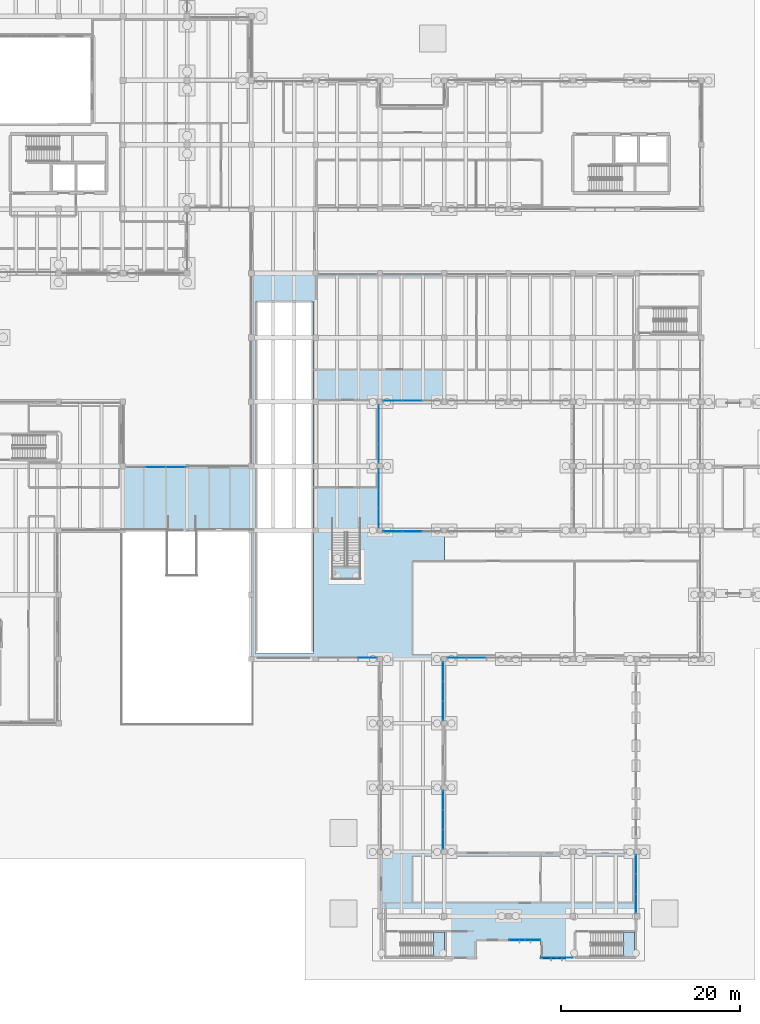
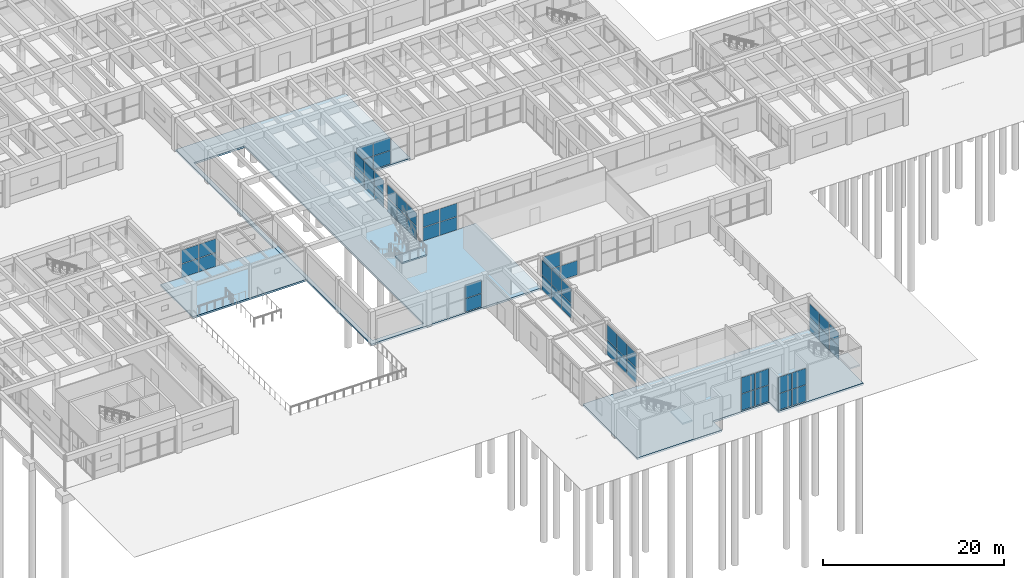
# One storey, part 110 of 155: 55 plates, 6 slabs, 15 elements without a shape of their own.
"""IFC4 building model written with IfcOpenShell, lengths in metres."""

from ifc_helpers import new_model, si_unit, direction, frame, origin, origin_2d, place, context, subcontext, project, spatial, polyline, rectangle, outline, extrude, material, layer, layer_set, type_object, element, aggregate, save


model = new_model("IFC4")

# Units and contexts
model_context = context("Model", 3, precision=1e-05, world=origin(), true_north=direction((0.0, 1.0)))
body_context = subcontext(model_context, "Body", "Model", "MODEL_VIEW")
ifc_project = project(units=[si_unit("LENGTHUNIT", "METRE"), si_unit("AREAUNIT", "SQUARE_METRE"), si_unit("VOLUMEUNIT", "CUBIC_METRE"), si_unit("PLANEANGLEUNIT", "RADIAN"), si_unit("MASSUNIT", "GRAM", prefix="KILO")], contexts=[model_context])

# Site, building, storey
site_placement = place(None, origin())
site = spatial("IfcSite", under=ifc_project, at=site_placement, CompositionType="ELEMENT")
building_placement = place(site_placement, origin())
building = spatial("IfcBuilding", under=site, at=building_placement, Name="Bramvelor Terrace Health Centre", CompositionType="ELEMENT")
storey_placement = place(building_placement, origin())
storey = spatial("IfcBuildingStorey", under=building, at=storey_placement, Name="L01", CompositionType="ELEMENT", Elevation=0.0)

# Curtain wall, plates
ifc_material_1 = material(Name="Anodized aluminium and double low-E glass", Category="aluminium")
curtain_wall_type_1 = type_object("IfcCurtainWallType", Name="CW-SYS-04", PredefinedType="NOTDEFINED", material=ifc_material_1)
curtain_wall_1_placement = place(storey_placement, origin())
curtain_wall_1 = element("IfcCurtainWall", 1, at=curtain_wall_1_placement, inside=storey, type_object=curtain_wall_type_1, Name="L01 Unitized Curtain Wall 11", PredefinedType="NOTDEFINED")
ifc_material_2 = material(Name="Double low-E laminated glass", Category="glass")
ifc_layer_1 = layer(ifc_material_2, 0.028076171875)
ifc_layer_set_1 = layer_set([ifc_layer_1], Name="Double low-E laminated glass")
plate_type = type_object("IfcPlateType", Name="CW-PNL-GLZ28", PredefinedType="CURTAIN_PANEL", material=ifc_layer_set_1)
plate_1_placement = place(storey_placement, frame((32.47314453125, 57.469970703125, 0.06494140625), z_axis=(0.0, 0.0, 1.0), x_axis=(1.0, 0.0, 0.0)))
plate_1 = element("IfcPlate", 2, at=plate_1_placement, type_object=plate_type, Name="CW-04 panel 2.1", PredefinedType="CURTAIN_PANEL", context=body_context, shape_type="SweptSolid", body=[
    extrude(rectangle(XDim=2.177001953125, YDim=0.028076171875, at=origin_2d()), origin(), (0.0, 0.0, 1.0), 1.822509765625),
])
plate_2_placement = place(storey_placement, frame((32.47314453125, 57.469970703125, 1.95263671875), z_axis=(0.0, 0.0, 1.0), x_axis=(1.0, 0.0, 0.0)))
plate_2 = element("IfcPlate", 3, at=plate_2_placement, type_object=plate_type, Name="CW-04 panel 2.2", PredefinedType="CURTAIN_PANEL", context=body_context, shape_type="SweptSolid", body=[
    extrude(rectangle(XDim=2.177001953125, YDim=0.028076171875, at=origin_2d()), origin(), (0.0, 0.0, 1.0), 1.822509765625),
])
plate_3_placement = place(storey_placement, frame((34.70654296875, 57.469970703125, 0.06494140625), z_axis=(0.0, 0.0, 1.0), x_axis=(1.0, 0.0, 0.0)))
plate_3 = element("IfcPlate", 4, at=plate_3_placement, type_object=plate_type, Name="CW-04 panel 3.1", PredefinedType="CURTAIN_PANEL", context=body_context, shape_type="SweptSolid", body=[
    extrude(rectangle(XDim=2.1396484375, YDim=0.028076171875, at=origin_2d()), origin(), (0.0, 0.0, 1.0), 1.822509765625),
])
plate_4_placement = place(storey_placement, frame((34.70654296875, 57.469970703125, 1.95263671875), z_axis=(0.0, 0.0, 1.0), x_axis=(1.0, 0.0, 0.0)))
plate_4 = element("IfcPlate", 5, at=plate_4_placement, type_object=plate_type, Name="CW-04 panel 3.2", PredefinedType="CURTAIN_PANEL", context=body_context, shape_type="SweptSolid", body=[
    extrude(rectangle(XDim=2.1396484375, YDim=0.028076171875, at=origin_2d()), origin(), (0.0, 0.0, 1.0), 1.822509765625),
])
aggregate(curtain_wall_1, [plate_1, plate_2, plate_3, plate_4])

ifc_material_3 = material(Name="Anodized aluminium and double low-E glass", Category="aluminium")
curtain_wall_type_2 = type_object("IfcCurtainWallType", Name="CW-SYS-07", PredefinedType="NOTDEFINED", material=ifc_material_3)
curtain_wall_2_placement = place(storey_placement, origin())
curtain_wall_2 = element("IfcCurtainWall", 6, at=curtain_wall_2_placement, inside=storey, type_object=curtain_wall_type_2, Name="L01 Unitized Curtain Wall 50", PredefinedType="NOTDEFINED")
plate_5_placement = place(storey_placement, frame((68.39990234375, 36.1298828125, 0.06494140625), z_axis=(0.0, 0.0, 1.0), x_axis=(-1.0, 0.0, 0.0)))
plate_5 = element("IfcPlate", 7, at=plate_5_placement, type_object=plate_type, Name="CW-07 panel 2.1", PredefinedType="CURTAIN_PANEL", context=body_context, shape_type="SweptSolid", body=[
    extrude(rectangle(XDim=2.12841796875, YDim=0.028076171875, at=origin_2d()), origin(), (0.0, 0.0, 1.0), 1.93603515625),
])
plate_6_placement = place(storey_placement, frame((66.21533203125, 36.1298828125, 0.06494140625), z_axis=(0.0, 0.0, 1.0), x_axis=(-1.0, 0.0, 0.0)))
plate_6 = element("IfcPlate", 8, at=plate_6_placement, type_object=plate_type, Name="CW-07 panel 3.1", PredefinedType="CURTAIN_PANEL", context=body_context, shape_type="SweptSolid", body=[
    extrude(rectangle(XDim=2.0908203125, YDim=0.028076171875, at=origin_2d()), origin(), (0.0, 0.0, 1.0), 1.93603515625),
])
plate_7_placement = place(storey_placement, frame((66.21533203125, 36.1298828125, 2.06591796875), z_axis=(0.0, 0.0, 1.0), x_axis=(-1.0, 0.0, 0.0)))
plate_7 = element("IfcPlate", 9, at=plate_7_placement, type_object=plate_type, Name="CW-07 panel 3.2", PredefinedType="CURTAIN_PANEL", context=body_context, shape_type="SweptSolid", body=[
    extrude(rectangle(XDim=2.0908203125, YDim=0.028076171875, at=origin_2d()), origin(), (0.0, 0.0, 1.0), 1.93603515625),
])
aggregate(curtain_wall_2, [plate_5, plate_6, plate_7])

curtain_wall_3_placement = place(storey_placement, origin())
curtain_wall_3 = element("IfcCurtainWall", 10, at=curtain_wall_3_placement, inside=storey, type_object=curtain_wall_type_2, Name="L01 Unitized Curtain Wall 51", PredefinedType="NOTDEFINED")
plate_8_placement = place(storey_placement, frame((64.669921875, 34.58447265625, 0.06494140625), z_axis=(0.0, 0.0, 1.0), x_axis=(0.0, -1.0, 0.0)))
plate_8 = element("IfcPlate", 11, at=plate_8_placement, type_object=plate_type, Name="CW-07 panel 1.1", PredefinedType="CURTAIN_PANEL", context=body_context, shape_type="SweptSolid", body=[
    extrude(rectangle(XDim=2.0908203125, YDim=0.028076171875, at=origin_2d()), origin(), (0.0, 0.0, 1.0), 1.95947265625),
])
plate_9_placement = place(storey_placement, frame((64.669921875, 34.58447265625, 2.089599609375), z_axis=(0.0, 0.0, 1.0), x_axis=(0.0, -1.0, 0.0)))
plate_9 = element("IfcPlate", 12, at=plate_9_placement, type_object=plate_type, Name="CW-07 panel 1.2", PredefinedType="CURTAIN_PANEL", context=body_context, shape_type="SweptSolid", body=[
    extrude(rectangle(XDim=2.0908203125, YDim=0.028076171875, at=origin_2d()), origin(), (0.0, 0.0, 1.0), 1.95947265625),
])
plate_10_placement = place(storey_placement, frame((64.669921875, 32.39990234375, 0.06494140625), z_axis=(0.0, 0.0, 1.0), x_axis=(0.0, -1.0, 0.0)))
plate_10 = element("IfcPlate", 13, at=plate_10_placement, type_object=plate_type, Name="CW-07 panel 2.1", PredefinedType="CURTAIN_PANEL", context=body_context, shape_type="SweptSolid", body=[
    extrude(rectangle(XDim=2.12841796875, YDim=0.028076171875, at=origin_2d()), origin(), (0.0, 0.0, 1.0), 1.95947265625),
])
plate_11_placement = place(storey_placement, frame((64.669921875, 32.39990234375, 2.089599609375), z_axis=(0.0, 0.0, 1.0), x_axis=(0.0, -1.0, 0.0)))
plate_11 = element("IfcPlate", 14, at=plate_11_placement, type_object=plate_type, Name="CW-07 panel 2.2", PredefinedType="CURTAIN_PANEL", context=body_context, shape_type="SweptSolid", body=[
    extrude(rectangle(XDim=2.12841796875, YDim=0.028076171875, at=origin_2d()), origin(), (0.0, 0.0, 1.0), 1.95947265625),
])
plate_12_placement = place(storey_placement, frame((64.669921875, 30.21533203125, 0.06494140625), z_axis=(0.0, 0.0, 1.0), x_axis=(0.0, -1.0, 0.0)))
plate_12 = element("IfcPlate", 15, at=plate_12_placement, type_object=plate_type, Name="CW-07 panel 3.1", PredefinedType="CURTAIN_PANEL", context=body_context, shape_type="SweptSolid", body=[
    extrude(rectangle(XDim=2.0908203125, YDim=0.028076171875, at=origin_2d()), origin(), (0.0, 0.0, 1.0), 1.95947265625),
])
plate_13_placement = place(storey_placement, frame((64.669921875, 30.21533203125, 2.089599609375), z_axis=(0.0, 0.0, 1.0), x_axis=(0.0, -1.0, 0.0)))
plate_13 = element("IfcPlate", 16, at=plate_13_placement, type_object=plate_type, Name="CW-07 panel 3.2", PredefinedType="CURTAIN_PANEL", context=body_context, shape_type="SweptSolid", body=[
    extrude(rectangle(XDim=2.0908203125, YDim=0.028076171875, at=origin_2d()), origin(), (0.0, 0.0, 1.0), 1.95947265625),
])
aggregate(curtain_wall_3, [plate_8, plate_9, plate_10, plate_11, plate_12, plate_13])

curtain_wall_4_placement = place(storey_placement, origin())
curtain_wall_4 = element("IfcCurtainWall", 17, at=curtain_wall_4_placement, inside=storey, type_object=curtain_wall_type_2, Name="L01 Unitized Curtain Wall 52", PredefinedType="NOTDEFINED")
plate_14_placement = place(storey_placement, frame((64.669921875, 20.1845703125, 0.06494140625), z_axis=(0.0, 0.0, 1.0), x_axis=(0.0, -1.0, 0.0)))
plate_14 = element("IfcPlate", 18, at=plate_14_placement, type_object=plate_type, Name="CW-07 panel 1.1", PredefinedType="CURTAIN_PANEL", context=body_context, shape_type="SweptSolid", body=[
    extrude(rectangle(XDim=2.0908203125, YDim=0.028076171875, at=origin_2d()), origin(), (0.0, 0.0, 1.0), 1.969482421875),
])
plate_15_placement = place(storey_placement, frame((64.669921875, 20.1845703125, 2.099609375), z_axis=(0.0, 0.0, 1.0), x_axis=(0.0, -1.0, 0.0)))
plate_15 = element("IfcPlate", 19, at=plate_15_placement, type_object=plate_type, Name="CW-07 panel 1.2", PredefinedType="CURTAIN_PANEL", context=body_context, shape_type="SweptSolid", body=[
    extrude(rectangle(XDim=2.0908203125, YDim=0.028076171875, at=origin_2d()), origin(), (0.0, 0.0, 1.0), 1.969482421875),
])
plate_16_placement = place(storey_placement, frame((64.669921875, 18.0, 0.06494140625), z_axis=(0.0, 0.0, 1.0), x_axis=(0.0, -1.0, 0.0)))
plate_16 = element("IfcPlate", 20, at=plate_16_placement, type_object=plate_type, Name="CW-07 panel 2.1", PredefinedType="CURTAIN_PANEL", context=body_context, shape_type="SweptSolid", body=[
    extrude(rectangle(XDim=2.12841796875, YDim=0.028076171875, at=origin_2d()), origin(), (0.0, 0.0, 1.0), 1.969482421875),
])
plate_17_placement = place(storey_placement, frame((64.669921875, 18.0, 2.099609375), z_axis=(0.0, 0.0, 1.0), x_axis=(0.0, -1.0, 0.0)))
plate_17 = element("IfcPlate", 21, at=plate_17_placement, type_object=plate_type, Name="CW-07 panel 2.2", PredefinedType="CURTAIN_PANEL", context=body_context, shape_type="SweptSolid", body=[
    extrude(rectangle(XDim=2.12841796875, YDim=0.028076171875, at=origin_2d()), origin(), (0.0, 0.0, 1.0), 1.969482421875),
])
plate_18_placement = place(storey_placement, frame((64.669921875, 15.8154296875, 0.06494140625), z_axis=(0.0, 0.0, 1.0), x_axis=(0.0, -1.0, 0.0)))
plate_18 = element("IfcPlate", 22, at=plate_18_placement, type_object=plate_type, Name="CW-07 panel 3.1", PredefinedType="CURTAIN_PANEL", context=body_context, shape_type="SweptSolid", body=[
    extrude(rectangle(XDim=2.0908203125, YDim=0.028076171875, at=origin_2d()), origin(), (0.0, 0.0, 1.0), 1.969482421875),
])
plate_19_placement = place(storey_placement, frame((64.669921875, 15.8154296875, 2.099609375), z_axis=(0.0, 0.0, 1.0), x_axis=(0.0, -1.0, 0.0)))
plate_19 = element("IfcPlate", 23, at=plate_19_placement, type_object=plate_type, Name="CW-07 panel 3.2", PredefinedType="CURTAIN_PANEL", context=body_context, shape_type="SweptSolid", body=[
    extrude(rectangle(XDim=2.0908203125, YDim=0.028076171875, at=origin_2d()), origin(), (0.0, 0.0, 1.0), 1.969482421875),
])
aggregate(curtain_wall_4, [plate_14, plate_15, plate_16, plate_17, plate_18, plate_19])

ifc_material_4 = material(Name="Anodized aluminium and double low-E glass", Category="aluminium")
curtain_wall_type_3 = type_object("IfcCurtainWallType", Name="CW-SYS-05", PredefinedType="NOTDEFINED", material=ifc_material_4)
curtain_wall_5_placement = place(storey_placement, origin())
curtain_wall_5 = element("IfcCurtainWall", 24, at=curtain_wall_5_placement, inside=storey, type_object=curtain_wall_type_3, Name="L01 Unitized Curtain Wall 53", PredefinedType="NOTDEFINED")
plate_20_placement = place(storey_placement, frame((86.27001953125, 12.984619140625, 0.06494140625), z_axis=(0.0, 0.0, 1.0), x_axis=(0.0, -1.0, 0.0)))
plate_20 = element("IfcPlate", 25, at=plate_20_placement, type_object=plate_type, Name="CW-05 panel 1.1", PredefinedType="CURTAIN_PANEL", context=body_context, shape_type="SweptSolid", body=[
    extrude(rectangle(XDim=2.0908203125, YDim=0.028076171875, at=origin_2d()), origin(), (0.0, 0.0, 1.0), 1.7900390625),
])
plate_21_placement = place(storey_placement, frame((86.27001953125, 12.984619140625, 1.919921875), z_axis=(0.0, 0.0, 1.0), x_axis=(0.0, -1.0, 0.0)))
plate_21 = element("IfcPlate", 26, at=plate_21_placement, type_object=plate_type, Name="CW-05 panel 1.2", PredefinedType="CURTAIN_PANEL", context=body_context, shape_type="SweptSolid", body=[
    extrude(rectangle(XDim=2.0908203125, YDim=0.028076171875, at=origin_2d()), origin(), (0.0, 0.0, 1.0), 1.7900390625),
])
plate_22_placement = place(storey_placement, frame((86.27001953125, 10.800048828125, 0.06494140625), z_axis=(0.0, 0.0, 1.0), x_axis=(0.0, -1.0, 0.0)))
plate_22 = element("IfcPlate", 27, at=plate_22_placement, type_object=plate_type, Name="CW-05 panel 2.1", PredefinedType="CURTAIN_PANEL", context=body_context, shape_type="SweptSolid", body=[
    extrude(rectangle(XDim=2.12841796875, YDim=0.028076171875, at=origin_2d()), origin(), (0.0, 0.0, 1.0), 1.7900390625),
])
plate_23_placement = place(storey_placement, frame((86.27001953125, 10.800048828125, 1.919921875), z_axis=(0.0, 0.0, 1.0), x_axis=(0.0, -1.0, 0.0)))
plate_23 = element("IfcPlate", 28, at=plate_23_placement, type_object=plate_type, Name="CW-05 panel 2.2", PredefinedType="CURTAIN_PANEL", context=body_context, shape_type="SweptSolid", body=[
    extrude(rectangle(XDim=2.12841796875, YDim=0.028076171875, at=origin_2d()), origin(), (0.0, 0.0, 1.0), 1.7900390625),
])
plate_24_placement = place(storey_placement, frame((86.27001953125, 8.615478515625, 0.06494140625), z_axis=(0.0, 0.0, 1.0), x_axis=(0.0, -1.0, 0.0)))
plate_24 = element("IfcPlate", 29, at=plate_24_placement, type_object=plate_type, Name="CW-05 panel 3.1", PredefinedType="CURTAIN_PANEL", context=body_context, shape_type="SweptSolid", body=[
    extrude(rectangle(XDim=2.0908203125, YDim=0.028076171875, at=origin_2d()), origin(), (0.0, 0.0, 1.0), 1.7900390625),
])
plate_25_placement = place(storey_placement, frame((86.27001953125, 8.615478515625, 1.919921875), z_axis=(0.0, 0.0, 1.0), x_axis=(0.0, -1.0, 0.0)))
plate_25 = element("IfcPlate", 30, at=plate_25_placement, type_object=plate_type, Name="CW-05 panel 3.2", PredefinedType="CURTAIN_PANEL", context=body_context, shape_type="SweptSolid", body=[
    extrude(rectangle(XDim=2.0908203125, YDim=0.028076171875, at=origin_2d()), origin(), (0.0, 0.0, 1.0), 1.7900390625),
])
aggregate(curtain_wall_5, [plate_20, plate_21, plate_22, plate_23, plate_24, plate_25])

ifc_material_5 = material(Name="Anodized aluminium and double low-E glass", Category="aluminium")
curtain_wall_type_4 = type_object("IfcCurtainWallType", Name="CW-SYS-08", PredefinedType="NOTDEFINED", material=ifc_material_5)
curtain_wall_6_placement = place(storey_placement, origin())
curtain_wall_6 = element("IfcCurtainWall", 31, at=curtain_wall_6_placement, inside=storey, type_object=curtain_wall_type_4, Name="L01 Unitized Curtain Wall 54", PredefinedType="NOTDEFINED")
plate_26_placement = place(storey_placement, frame((78.271240234375, 2.530029296875, 0.06494140625), z_axis=(0.0, 0.0, 1.0), x_axis=(-1.0, 0.0, 0.0)))
plate_26 = element("IfcPlate", 32, at=plate_26_placement, type_object=plate_type, Name="CW-08 panel 1.1", PredefinedType="CURTAIN_PANEL", context=body_context, shape_type="SweptSolid", body=[
    extrude(rectangle(XDim=1.70751953125, YDim=0.028076171875, at=origin_2d()), origin(), (0.0, 0.0, 1.0), 2.16748046875),
])
plate_27_placement = place(storey_placement, frame((78.271240234375, 2.530029296875, 2.297607421875), z_axis=(0.0, 0.0, 1.0), x_axis=(-1.0, 0.0, 0.0)))
plate_27 = element("IfcPlate", 33, at=plate_27_placement, type_object=plate_type, Name="CW-08 panel 1.2", PredefinedType="CURTAIN_PANEL", context=body_context, shape_type="SweptSolid", body=[
    extrude(rectangle(XDim=1.70751953125, YDim=0.028076171875, at=origin_2d()), origin(), (0.0, 0.0, 1.0), 2.16748046875),
])
plate_28_placement = place(storey_placement, frame((76.48876953125, 2.530029296875, 0.06494140625), z_axis=(0.0, 0.0, 1.0), x_axis=(-1.0, 0.0, 0.0)))
plate_28 = element("IfcPlate", 34, at=plate_28_placement, type_object=plate_type, Name="CW-08 panel 2.1", PredefinedType="CURTAIN_PANEL", context=body_context, shape_type="SweptSolid", body=[
    extrude(rectangle(XDim=1.70751953125, YDim=0.028076171875, at=origin_2d()), origin(), (0.0, 0.0, 1.0), 2.16748046875),
])
plate_29_placement = place(storey_placement, frame((76.48876953125, 2.530029296875, 2.297607421875), z_axis=(0.0, 0.0, 1.0), x_axis=(-1.0, 0.0, 0.0)))
plate_29 = element("IfcPlate", 35, at=plate_29_placement, type_object=plate_type, Name="CW-08 panel 2.2", PredefinedType="CURTAIN_PANEL", context=body_context, shape_type="SweptSolid", body=[
    extrude(rectangle(XDim=1.70751953125, YDim=0.028076171875, at=origin_2d()), origin(), (0.0, 0.0, 1.0), 2.16748046875),
])
aggregate(curtain_wall_6, [plate_26, plate_27, plate_28, plate_29])

curtain_wall_7_placement = place(storey_placement, origin())
curtain_wall_7 = element("IfcCurtainWall", 36, at=curtain_wall_7_placement, inside=storey, type_object=curtain_wall_type_4, Name="L01 Unitized Curtain Wall 55", PredefinedType="NOTDEFINED")
plate_30_placement = place(storey_placement, frame((74.711181640625, 4.530029296875, 0.06494140625), z_axis=(0.0, 0.0, 1.0), x_axis=(-1.0, 0.0, 0.0)))
plate_30 = element("IfcPlate", 37, at=plate_30_placement, type_object=plate_type, Name="CW-08 panel 1.1", PredefinedType="CURTAIN_PANEL", context=body_context, shape_type="SweptSolid", body=[
    extrude(rectangle(XDim=1.70751953125, YDim=0.028076171875, at=origin_2d()), origin(), (0.0, 0.0, 1.0), 2.16748046875),
])
plate_31_placement = place(storey_placement, frame((74.711181640625, 4.530029296875, 2.297607421875), z_axis=(0.0, 0.0, 1.0), x_axis=(-1.0, 0.0, 0.0)))
plate_31 = element("IfcPlate", 38, at=plate_31_placement, type_object=plate_type, Name="CW-08 panel 1.2", PredefinedType="CURTAIN_PANEL", context=body_context, shape_type="SweptSolid", body=[
    extrude(rectangle(XDim=1.70751953125, YDim=0.028076171875, at=origin_2d()), origin(), (0.0, 0.0, 1.0), 2.16748046875),
])
plate_32_placement = place(storey_placement, frame((72.9287109375, 4.530029296875, 0.06494140625), z_axis=(0.0, 0.0, 1.0), x_axis=(-1.0, 0.0, 0.0)))
plate_32 = element("IfcPlate", 39, at=plate_32_placement, type_object=plate_type, Name="CW-08 panel 2.1", PredefinedType="CURTAIN_PANEL", context=body_context, shape_type="SweptSolid", body=[
    extrude(rectangle(XDim=1.70751953125, YDim=0.028076171875, at=origin_2d()), origin(), (0.0, 0.0, 1.0), 2.16748046875),
])
plate_33_placement = place(storey_placement, frame((72.9287109375, 4.530029296875, 2.297607421875), z_axis=(0.0, 0.0, 1.0), x_axis=(-1.0, 0.0, 0.0)))
plate_33 = element("IfcPlate", 40, at=plate_33_placement, type_object=plate_type, Name="CW-08 panel 2.2", PredefinedType="CURTAIN_PANEL", context=body_context, shape_type="SweptSolid", body=[
    extrude(rectangle(XDim=1.70751953125, YDim=0.028076171875, at=origin_2d()), origin(), (0.0, 0.0, 1.0), 2.16748046875),
])
aggregate(curtain_wall_7, [plate_30, plate_31, plate_32, plate_33])

ifc_material_6 = material(Name="Anodized aluminium and double low-E glass", Category="aluminium")
curtain_wall_type_5 = type_object("IfcCurtainWallType", Name="CW-SYS-02", PredefinedType="NOTDEFINED", material=ifc_material_6)
curtain_wall_8_placement = place(storey_placement, origin())
curtain_wall_8 = element("IfcCurtainWall", 41, at=curtain_wall_8_placement, inside=storey, type_object=curtain_wall_type_5, Name="L01 Unitized Curtain Wall 57", PredefinedType="NOTDEFINED")
plate_34_placement = place(storey_placement, frame((56.1845703125, 36.1298828125, 0.06494140625), z_axis=(0.0, 0.0, 1.0), x_axis=(-1.0, 0.0, 0.0)))
plate_34 = element("IfcPlate", 42, at=plate_34_placement, type_object=plate_type, Name="CW-02 panel 1.1", PredefinedType="CURTAIN_PANEL", context=body_context, shape_type="SweptSolid", body=[
    extrude(rectangle(XDim=2.0908203125, YDim=0.028076171875, at=origin_2d()), origin(), (0.0, 0.0, 1.0), 1.762451171875),
])
plate_35_placement = place(storey_placement, frame((56.1845703125, 36.1298828125, 1.892578125), z_axis=(0.0, 0.0, 1.0), x_axis=(-1.0, 0.0, 0.0)))
plate_35 = element("IfcPlate", 43, at=plate_35_placement, type_object=plate_type, Name="CW-02 panel 1.2", PredefinedType="CURTAIN_PANEL", context=body_context, shape_type="SweptSolid", body=[
    extrude(rectangle(XDim=2.0908203125, YDim=0.028076171875, at=origin_2d()), origin(), (0.0, 0.0, 1.0), 1.762451171875),
])
aggregate(curtain_wall_8, [plate_34, plate_35])

curtain_wall_9_placement = place(storey_placement, origin())
curtain_wall_9 = element("IfcCurtainWall", 44, at=curtain_wall_9_placement, inside=storey, type_object=curtain_wall_type_5, Name="L01 Unitized Curtain Wall 58", PredefinedType="NOTDEFINED")
plate_36_placement = place(storey_placement, frame((57.469970703125, 63.384521484375, 0.06494140625), z_axis=(0.0, 0.0, 1.0), x_axis=(0.0, -1.0, 0.0)))
plate_36 = element("IfcPlate", 45, at=plate_36_placement, type_object=plate_type, Name="CW-02 panel 1.1", PredefinedType="CURTAIN_PANEL", context=body_context, shape_type="SweptSolid", body=[
    extrude(rectangle(XDim=2.0908203125, YDim=0.028076171875, at=origin_2d()), origin(), (0.0, 0.0, 1.0), 1.762451171875),
])
plate_37_placement = place(storey_placement, frame((57.469970703125, 63.384521484375, 1.892578125), z_axis=(0.0, 0.0, 1.0), x_axis=(0.0, -1.0, 0.0)))
plate_37 = element("IfcPlate", 46, at=plate_37_placement, type_object=plate_type, Name="CW-02 panel 1.2", PredefinedType="CURTAIN_PANEL", context=body_context, shape_type="SweptSolid", body=[
    extrude(rectangle(XDim=2.0908203125, YDim=0.028076171875, at=origin_2d()), origin(), (0.0, 0.0, 1.0), 1.762451171875),
])
plate_38_placement = place(storey_placement, frame((57.469970703125, 61.199951171875, 0.06494140625), z_axis=(0.0, 0.0, 1.0), x_axis=(0.0, -1.0, 0.0)))
plate_38 = element("IfcPlate", 47, at=plate_38_placement, type_object=plate_type, Name="CW-02 panel 2.1", PredefinedType="CURTAIN_PANEL", context=body_context, shape_type="SweptSolid", body=[
    extrude(rectangle(XDim=2.12841796875, YDim=0.028076171875, at=origin_2d()), origin(), (0.0, 0.0, 1.0), 1.762451171875),
])
plate_39_placement = place(storey_placement, frame((57.469970703125, 61.199951171875, 1.892578125), z_axis=(0.0, 0.0, 1.0), x_axis=(0.0, -1.0, 0.0)))
plate_39 = element("IfcPlate", 48, at=plate_39_placement, type_object=plate_type, Name="CW-02 panel 2.2", PredefinedType="CURTAIN_PANEL", context=body_context, shape_type="SweptSolid", body=[
    extrude(rectangle(XDim=2.12841796875, YDim=0.028076171875, at=origin_2d()), origin(), (0.0, 0.0, 1.0), 1.762451171875),
])
plate_40_placement = place(storey_placement, frame((57.469970703125, 59.015380859375, 0.06494140625), z_axis=(0.0, 0.0, 1.0), x_axis=(0.0, -1.0, 0.0)))
plate_40 = element("IfcPlate", 49, at=plate_40_placement, type_object=plate_type, Name="CW-02 panel 3.1", PredefinedType="CURTAIN_PANEL", context=body_context, shape_type="SweptSolid", body=[
    extrude(rectangle(XDim=2.0908203125, YDim=0.028076171875, at=origin_2d()), origin(), (0.0, 0.0, 1.0), 1.762451171875),
])
plate_41_placement = place(storey_placement, frame((57.469970703125, 59.015380859375, 1.892578125), z_axis=(0.0, 0.0, 1.0), x_axis=(0.0, -1.0, 0.0)))
plate_41 = element("IfcPlate", 50, at=plate_41_placement, type_object=plate_type, Name="CW-02 panel 3.2", PredefinedType="CURTAIN_PANEL", context=body_context, shape_type="SweptSolid", body=[
    extrude(rectangle(XDim=2.0908203125, YDim=0.028076171875, at=origin_2d()), origin(), (0.0, 0.0, 1.0), 1.762451171875),
])
aggregate(curtain_wall_9, [plate_36, plate_37, plate_38, plate_39, plate_40, plate_41])

curtain_wall_10_placement = place(storey_placement, origin())
curtain_wall_10 = element("IfcCurtainWall", 51, at=curtain_wall_10_placement, inside=storey, type_object=curtain_wall_type_5, Name="L01 Unitized Curtain Wall 59", PredefinedType="NOTDEFINED")
plate_42_placement = place(storey_placement, frame((57.469970703125, 56.1845703125, 0.06494140625), z_axis=(0.0, 0.0, 1.0), x_axis=(0.0, -1.0, 0.0)))
plate_42 = element("IfcPlate", 52, at=plate_42_placement, type_object=plate_type, Name="CW-02 panel 1.1", PredefinedType="CURTAIN_PANEL", context=body_context, shape_type="SweptSolid", body=[
    extrude(rectangle(XDim=2.0908203125, YDim=0.028076171875, at=origin_2d()), origin(), (0.0, 0.0, 1.0), 1.762451171875),
])
plate_43_placement = place(storey_placement, frame((57.469970703125, 56.1845703125, 1.892578125), z_axis=(0.0, 0.0, 1.0), x_axis=(0.0, -1.0, 0.0)))
plate_43 = element("IfcPlate", 53, at=plate_43_placement, type_object=plate_type, Name="CW-02 panel 1.2", PredefinedType="CURTAIN_PANEL", context=body_context, shape_type="SweptSolid", body=[
    extrude(rectangle(XDim=2.0908203125, YDim=0.028076171875, at=origin_2d()), origin(), (0.0, 0.0, 1.0), 1.762451171875),
])
plate_44_placement = place(storey_placement, frame((57.469970703125, 54.0, 0.06494140625), z_axis=(0.0, 0.0, 1.0), x_axis=(0.0, -1.0, 0.0)))
plate_44 = element("IfcPlate", 54, at=plate_44_placement, type_object=plate_type, Name="CW-02 panel 2.1", PredefinedType="CURTAIN_PANEL", context=body_context, shape_type="SweptSolid", body=[
    extrude(rectangle(XDim=2.12841796875, YDim=0.028076171875, at=origin_2d()), origin(), (0.0, 0.0, 1.0), 1.762451171875),
])
plate_45_placement = place(storey_placement, frame((57.469970703125, 54.0, 1.892578125), z_axis=(0.0, 0.0, 1.0), x_axis=(0.0, -1.0, 0.0)))
plate_45 = element("IfcPlate", 55, at=plate_45_placement, type_object=plate_type, Name="CW-02 panel 2.2", PredefinedType="CURTAIN_PANEL", context=body_context, shape_type="SweptSolid", body=[
    extrude(rectangle(XDim=2.12841796875, YDim=0.028076171875, at=origin_2d()), origin(), (0.0, 0.0, 1.0), 1.762451171875),
])
plate_46_placement = place(storey_placement, frame((57.469970703125, 51.8154296875, 0.06494140625), z_axis=(0.0, 0.0, 1.0), x_axis=(0.0, -1.0, 0.0)))
plate_46 = element("IfcPlate", 56, at=plate_46_placement, type_object=plate_type, Name="CW-02 panel 3.1", PredefinedType="CURTAIN_PANEL", context=body_context, shape_type="SweptSolid", body=[
    extrude(rectangle(XDim=2.0908203125, YDim=0.028076171875, at=origin_2d()), origin(), (0.0, 0.0, 1.0), 1.762451171875),
])
plate_47_placement = place(storey_placement, frame((57.469970703125, 51.8154296875, 1.892578125), z_axis=(0.0, 0.0, 1.0), x_axis=(0.0, -1.0, 0.0)))
plate_47 = element("IfcPlate", 57, at=plate_47_placement, type_object=plate_type, Name="CW-02 panel 3.2", PredefinedType="CURTAIN_PANEL", context=body_context, shape_type="SweptSolid", body=[
    extrude(rectangle(XDim=2.0908203125, YDim=0.028076171875, at=origin_2d()), origin(), (0.0, 0.0, 1.0), 1.762451171875),
])
aggregate(curtain_wall_10, [plate_42, plate_43, plate_44, plate_45, plate_46, plate_47])

curtain_wall_11_placement = place(storey_placement, origin())
curtain_wall_11 = element("IfcCurtainWall", 58, at=curtain_wall_11_placement, inside=storey, type_object=curtain_wall_type_5, Name="L01 Unitized Curtain Wall 60", PredefinedType="NOTDEFINED")
plate_48_placement = place(storey_placement, frame((59.015380859375, 50.27001953125, 0.06494140625), z_axis=(0.0, 0.0, 1.0), x_axis=(1.0, 0.0, 0.0)))
plate_48 = element("IfcPlate", 59, at=plate_48_placement, type_object=plate_type, Name="CW-02 panel 1.1", PredefinedType="CURTAIN_PANEL", context=body_context, shape_type="SweptSolid", body=[
    extrude(rectangle(XDim=2.0908203125, YDim=0.028076171875, at=origin_2d()), origin(), (0.0, 0.0, 1.0), 1.762451171875),
])
plate_49_placement = place(storey_placement, frame((59.015380859375, 50.27001953125, 1.892578125), z_axis=(0.0, 0.0, 1.0), x_axis=(1.0, 0.0, 0.0)))
plate_49 = element("IfcPlate", 60, at=plate_49_placement, type_object=plate_type, Name="CW-02 panel 1.2", PredefinedType="CURTAIN_PANEL", context=body_context, shape_type="SweptSolid", body=[
    extrude(rectangle(XDim=2.0908203125, YDim=0.028076171875, at=origin_2d()), origin(), (0.0, 0.0, 1.0), 1.762451171875),
])
plate_50_placement = place(storey_placement, frame((61.199951171875, 50.27001953125, 0.06494140625), z_axis=(0.0, 0.0, 1.0), x_axis=(1.0, 0.0, 0.0)))
plate_50 = element("IfcPlate", 61, at=plate_50_placement, type_object=plate_type, Name="CW-02 panel 2.1", PredefinedType="CURTAIN_PANEL", context=body_context, shape_type="SweptSolid", body=[
    extrude(rectangle(XDim=2.12841796875, YDim=0.028076171875, at=origin_2d()), origin(), (0.0, 0.0, 1.0), 1.762451171875),
])
plate_51_placement = place(storey_placement, frame((61.199951171875, 50.27001953125, 1.892578125), z_axis=(0.0, 0.0, 1.0), x_axis=(1.0, 0.0, 0.0)))
plate_51 = element("IfcPlate", 62, at=plate_51_placement, type_object=plate_type, Name="CW-02 panel 2.2", PredefinedType="CURTAIN_PANEL", context=body_context, shape_type="SweptSolid", body=[
    extrude(rectangle(XDim=2.12841796875, YDim=0.028076171875, at=origin_2d()), origin(), (0.0, 0.0, 1.0), 1.762451171875),
])
aggregate(curtain_wall_11, [plate_48, plate_49, plate_50, plate_51])

curtain_wall_12_placement = place(storey_placement, origin())
curtain_wall_12 = element("IfcCurtainWall", 63, at=curtain_wall_12_placement, inside=storey, type_object=curtain_wall_type_5, Name="L01 Unitized Curtain Wall 66", PredefinedType="NOTDEFINED")
plate_52_placement = place(storey_placement, frame((61.199951171875, 64.929931640625, 0.06494140625), z_axis=(0.0, 0.0, 1.0), x_axis=(-1.0, 0.0, 0.0)))
plate_52 = element("IfcPlate", 64, at=plate_52_placement, type_object=plate_type, Name="CW-02 panel 2.1", PredefinedType="CURTAIN_PANEL", context=body_context, shape_type="SweptSolid", body=[
    extrude(rectangle(XDim=2.12841796875, YDim=0.028076171875, at=origin_2d()), origin(), (0.0, 0.0, 1.0), 1.762451171875),
])
plate_53_placement = place(storey_placement, frame((61.199951171875, 64.929931640625, 1.892578125), z_axis=(0.0, 0.0, 1.0), x_axis=(-1.0, 0.0, 0.0)))
plate_53 = element("IfcPlate", 65, at=plate_53_placement, type_object=plate_type, Name="CW-02 panel 2.2", PredefinedType="CURTAIN_PANEL", context=body_context, shape_type="SweptSolid", body=[
    extrude(rectangle(XDim=2.12841796875, YDim=0.028076171875, at=origin_2d()), origin(), (0.0, 0.0, 1.0), 1.762451171875),
])
plate_54_placement = place(storey_placement, frame((59.015380859375, 64.929931640625, 0.06494140625), z_axis=(0.0, 0.0, 1.0), x_axis=(-1.0, 0.0, 0.0)))
plate_54 = element("IfcPlate", 66, at=plate_54_placement, type_object=plate_type, Name="CW-02 panel 3.1", PredefinedType="CURTAIN_PANEL", context=body_context, shape_type="SweptSolid", body=[
    extrude(rectangle(XDim=2.0908203125, YDim=0.028076171875, at=origin_2d()), origin(), (0.0, 0.0, 1.0), 1.762451171875),
])
plate_55_placement = place(storey_placement, frame((59.015380859375, 64.929931640625, 1.892578125), z_axis=(0.0, 0.0, 1.0), x_axis=(-1.0, 0.0, 0.0)))
plate_55 = element("IfcPlate", 67, at=plate_55_placement, type_object=plate_type, Name="CW-02 panel 3.2", PredefinedType="CURTAIN_PANEL", context=body_context, shape_type="SweptSolid", body=[
    extrude(rectangle(XDim=2.0908203125, YDim=0.028076171875, at=origin_2d()), origin(), (0.0, 0.0, 1.0), 1.762451171875),
])
aggregate(curtain_wall_12, [plate_52, plate_53, plate_54, plate_55])

# Slabs
ifc_material_7 = material(Name="Concrete C40/50", Category="concrete")
ifc_layer_2 = layer(ifc_material_7, 0.25)
ifc_layer_set_2 = layer_set([ifc_layer_2], Name="Concrete C40/50")
slab_type_1 = type_object("IfcSlabType", Name="SLB-FLR-RC250", PredefinedType="FLOOR", material=ifc_layer_set_2)
slab_1_placement = place(storey_placement, frame((0.0, 0.0, -0.25)))
element("IfcSlab", 68, at=slab_1_placement, inside=storey, type_object=slab_type_1, Name="L01 LK_V6_V1 Floor Slab", PredefinedType="FLOOR", context=body_context, shape_type="SweptSolid", body=[
    extrude(outline(polyline([(43.199951171875, 50.39990234375), (43.199951171875, 57.60009765625), (28.800048828125, 57.60009765625), (28.800048828125, 50.39990234375), (43.199951171875, 50.39990234375)])), origin(), (0.0, 0.0, 1.0), 0.25),
])
slab_2_placement = place(storey_placement, frame((0.0, 0.0, -0.25)))
element("IfcSlab", 69, at=slab_2_placement, inside=storey, type_object=slab_type_1, Name="L01 V1_W Floor Slab", PredefinedType="FLOOR", context=body_context, shape_type="SweptSolid", body=[
    extrude(outline(polyline([(64.800048828125, 79.199951171875), (64.800048828125, 64.800048828125), (57.60009765625, 64.800048828125), (57.60009765625, 50.39990234375), (64.800048828125, 50.39990234375), (64.800048828125, 36.0), (43.199951171875, 36.0), (43.199951171875, 79.199951171875), (64.800048828125, 79.199951171875)]), holes=[polyline([(50.14990234375, 76.0), (43.64990234375, 76.0), (43.64990234375, 36.60009765625), (50.14990234375, 36.60009765625), (50.14990234375, 76.0)])]), origin(), (0.0, 0.0, 1.0), 0.25),
])
slab_3_placement = place(storey_placement, frame((0.0, 0.0, -0.25)))
element("IfcSlab", 70, at=slab_3_placement, inside=storey, type_object=slab_type_1, Name="L01 V3 Floor Slab", PredefinedType="FLOOR", context=body_context, shape_type="SweptSolid", body=[
    extrude(outline(polyline([(57.60009765625, 2.39990234375), (57.60009765625, 14.39990234375), (86.39990234375, 14.39990234375), (86.39990234375, 2.39990234375), (75.60009765625, 2.39990234375), (75.60009765625, 4.39990234375), (68.39990234375, 4.39990234375), (68.39990234375, 2.39990234375), (57.60009765625, 2.39990234375)])), origin(), (0.0, 0.0, 1.0), 0.25),
])

# Stair, slab
ifc_material_8 = material(Name="Concrete C40/50", Category="concrete")
stair_type_1 = type_object("IfcStairType", Name="STR-SEC", PredefinedType="HALF_TURN_STAIR", material=ifc_material_8)
stair_1_placement = place(storey_placement, origin())
stair_1 = element("IfcStair", 71, at=stair_1_placement, inside=storey, type_object=stair_type_1, Name="L01 West Rehabilitation Exit Stair", PredefinedType="HALF_TURN_STAIR")
ifc_material_9 = material(Name="Concrete C40/50", Category="concrete")
ifc_layer_3 = layer(ifc_material_9, 0.199951171875)
ifc_layer_set_3 = layer_set([ifc_layer_3], Name="Concrete C40/50")
slab_type_2 = type_object("IfcSlabType", Name="SLB-LND-200", PredefinedType="LANDING", material=ifc_layer_set_3)
slab_4_placement = place(storey_placement, frame((0.0, 0.0, 2.199951171875)))
slab_4 = element("IfcSlab", 72, at=slab_4_placement, type_object=slab_type_2, Name="ST-9 landing 1", PredefinedType="LANDING", context=body_context, shape_type="SweptSolid", body=[
    extrude(outline(polyline([(63.574951171875, 2.699951171875), (64.824951171875, 2.699951171875), (64.824951171875, 5.39990234375), (63.574951171875, 5.39990234375), (63.574951171875, 2.699951171875)])), origin(), (0.0, 0.0, 1.0), 0.199951171875),
])
aggregate(stair_1, [slab_4])

stair_2_placement = place(storey_placement, origin())
stair_2 = element("IfcStair", 73, at=stair_2_placement, inside=storey, type_object=stair_type_1, Name="L01 East Rehabilitation Exit Stair", PredefinedType="HALF_TURN_STAIR")
slab_5_placement = place(storey_placement, frame((0.0, 0.0, 2.199951171875)))
slab_5 = element("IfcSlab", 74, at=slab_5_placement, type_object=slab_type_2, Name="ST-10 landing 1", PredefinedType="LANDING", context=body_context, shape_type="SweptSolid", body=[
    extrude(outline(polyline([(84.875, 2.699951171875), (86.125, 2.699951171875), (86.125, 5.39990234375), (84.875, 5.39990234375), (84.875, 2.699951171875)])), origin(), (0.0, 0.0, 1.0), 0.199951171875),
])
aggregate(stair_2, [slab_5])

ifc_material_10 = material(Name="Concrete C40/50", Category="concrete")
stair_type_2 = type_object("IfcStairType", Name="STR-FEAT", PredefinedType="HALF_TURN_STAIR", material=ifc_material_10)
stair_3_placement = place(storey_placement, origin())
stair_3 = element("IfcStair", 75, at=stair_3_placement, inside=storey, type_object=stair_type_2, Name="L01 Waiting Hall Feature Stair", PredefinedType="HALF_TURN_STAIR")
slab_6_placement = place(storey_placement, frame((0.0, 0.0, 2.199951171875)))
slab_6 = element("IfcSlab", 76, at=slab_6_placement, type_object=slab_type_2, Name="ST-11 landing 1", PredefinedType="LANDING", context=body_context, shape_type="SweptSolid", body=[
    extrude(outline(polyline([(52.199951171875, 46.429931640625), (52.199951171875, 44.929931640625), (55.39990234375, 44.929931640625), (55.39990234375, 46.429931640625), (52.199951171875, 46.429931640625)])), origin(), (0.0, 0.0, 1.0), 0.199951171875),
])
aggregate(stair_3, [slab_6])

save(model, "model.ifc")
